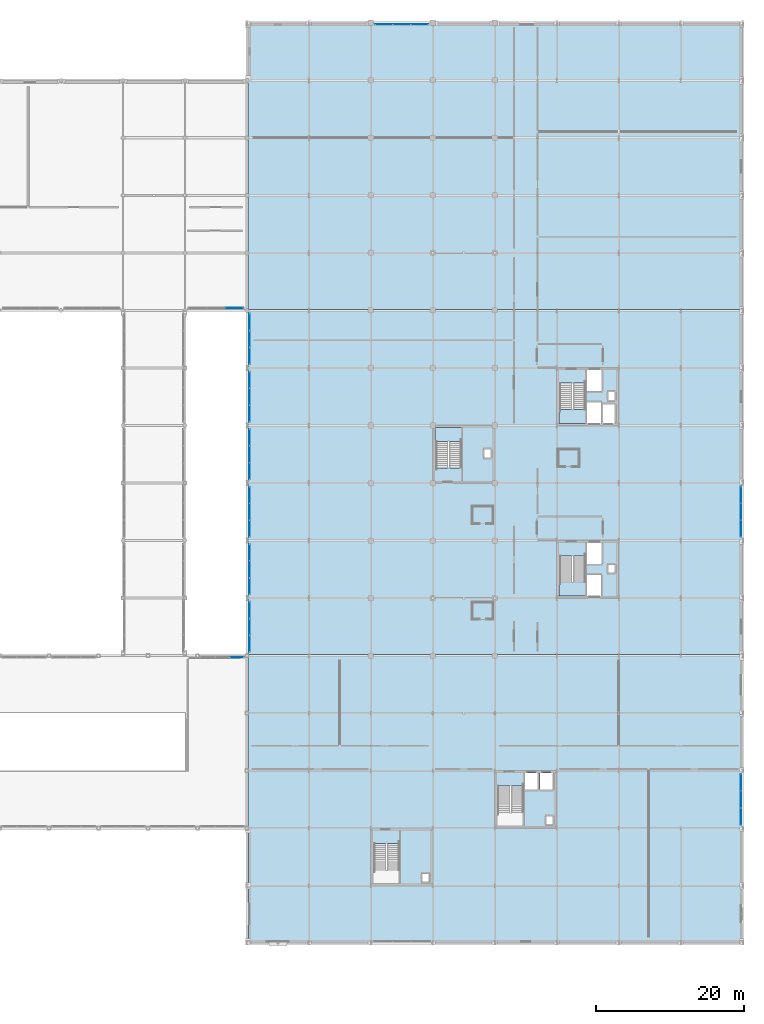
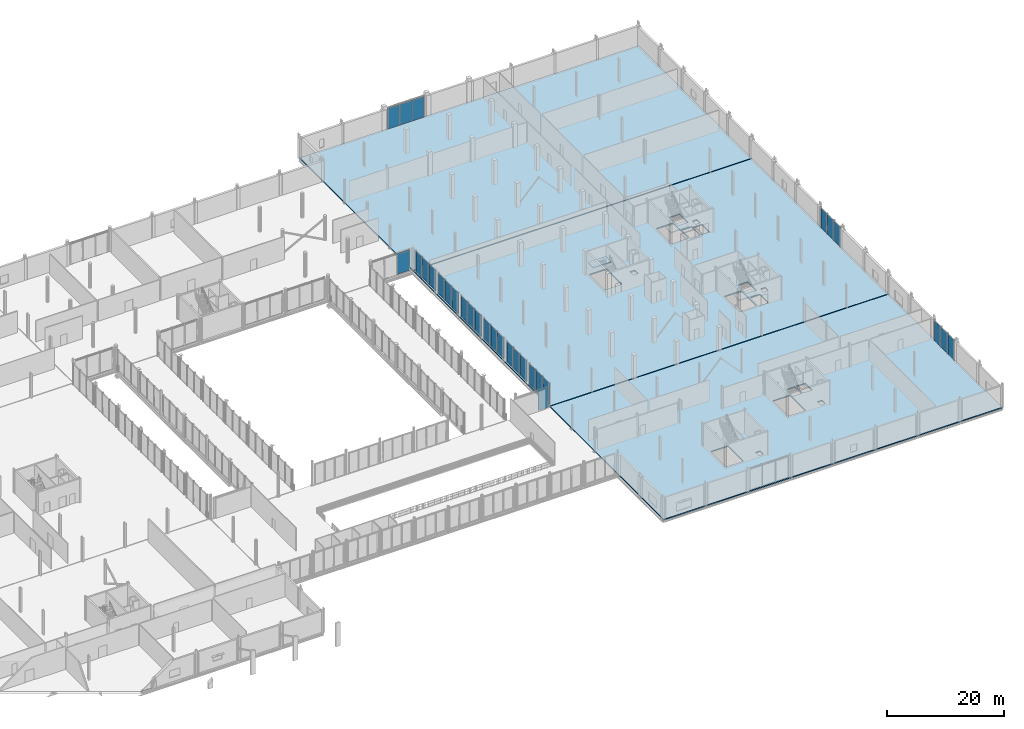
# One storey, part 72 of 105: 29 plates, 6 slabs, 14 elements without a shape of their own.
"""IFC4 building model written with IfcOpenShell, lengths in metres."""

from ifc_helpers import new_model, si_unit, direction, frame, origin, origin_2d, place, context, subcontext, project, spatial, polyline, rectangle, outline, extrude, material, layer, layer_set, type_object, element, aggregate, save


model = new_model("IFC4")

# Units and contexts
model_context = context("Model", 3, precision=1e-05, world=origin(), true_north=direction((0.0, 1.0)))
body_context = subcontext(model_context, "Body", "Model", "MODEL_VIEW")
ifc_project = project(units=[si_unit("LENGTHUNIT", "METRE"), si_unit("AREAUNIT", "SQUARE_METRE"), si_unit("VOLUMEUNIT", "CUBIC_METRE"), si_unit("PLANEANGLEUNIT", "RADIAN"), si_unit("MASSUNIT", "GRAM", prefix="KILO")], contexts=[model_context])

# Site, building, storey
site_placement = place(None, origin())
site = spatial("IfcSite", under=ifc_project, at=site_placement, CompositionType="ELEMENT")
building_placement = place(site_placement, origin())
building = spatial("IfcBuilding", under=site, at=building_placement, Name="Nabrawat Pavilion Hospital", CompositionType="ELEMENT")
storey_placement = place(building_placement, frame((0.0, 0.0, 5.10009765625)))
storey = spatial("IfcBuildingStorey", under=building, at=storey_placement, Name="L01", CompositionType="ELEMENT", Elevation=5.10009765625)

# Slabs
ifc_material_1 = material(Name="Concrete C35/45", Category="concrete")
ifc_layer_1 = layer(ifc_material_1, 0.25, Name="Concrete C35/45")
ifc_layer_set_1 = layer_set([ifc_layer_1], Name="Concrete C35/45")
slab_type_1 = type_object("IfcSlabType", Name="Composite Lower Ward Slab 250", PredefinedType="FLOOR", material=ifc_layer_set_1)
slab_1_placement = place(storey_placement, frame((0.0, 0.0, -0.25)))
element("IfcSlab", 1, at=slab_1_placement, inside=storey, type_object=slab_type_1, Name="L01 Structural Floor Slab P_L01_V6_S", PredefinedType="FLOOR", context=body_context, shape_type="SweptSolid", body=[
    extrude(outline(polyline([(126.1201171875, 39.1201171875), (193.199951171875, 39.1201171875), (193.199951171875, 85.800048828125), (126.1201171875, 85.800048828125), (126.1201171875, 39.1201171875)]), holes=[polyline([(175.8798828125, 73.10009765625), (175.8798828125, 70.5), (174.1201171875, 70.5), (174.1201171875, 73.10009765625), (175.8798828125, 73.10009765625)]), polyline([(174.949951171875, 50.25), (174.949951171875, 51.35009765625), (175.85009765625, 51.35009765625), (175.85009765625, 50.25), (174.949951171875, 50.25)]), polyline([(174.949951171875, 73.64990234375), (174.949951171875, 74.75), (175.85009765625, 74.75), (175.85009765625, 73.64990234375), (174.949951171875, 73.64990234375)]), polyline([(172.10009765625, 51.39990234375), (172.10009765625, 54.300048828125), (174.10009765625, 54.300048828125), (174.10009765625, 51.39990234375), (172.10009765625, 51.39990234375)]), polyline([(172.10009765625, 74.800048828125), (172.10009765625, 77.699951171875), (174.10009765625, 77.699951171875), (174.10009765625, 74.800048828125), (172.10009765625, 74.800048828125)]), polyline([(174.06005859375, 50.0), (174.06005859375, 47.10009765625), (172.10009765625, 47.10009765625), (172.10009765625, 50.0), (174.06005859375, 50.0)]), polyline([(172.10009765625, 70.5), (172.10009765625, 73.39990234375), (174.06005859375, 73.39990234375), (174.06005859375, 70.5), (172.10009765625, 70.5)]), polyline([(171.85009765625, 47.25), (168.449951171875, 47.25), (168.449951171875, 52.530029296875), (171.85009765625, 52.530029296875), (171.85009765625, 47.25)]), polyline([(171.85009765625, 70.64990234375), (168.449951171875, 70.64990234375), (168.449951171875, 75.929931640625), (171.85009765625, 75.929931640625), (171.85009765625, 70.64990234375)]), polyline([(159.050048828125, 66.949951171875), (159.050048828125, 65.85009765625), (158.14990234375, 65.85009765625), (158.14990234375, 66.949951171875), (159.050048828125, 66.949951171875)]), polyline([(155.050048828125, 64.469970703125), (151.64990234375, 64.469970703125), (151.64990234375, 69.75), (155.050048828125, 69.75), (155.050048828125, 64.469970703125)])]), origin(), (0.0, 0.0, 1.0), 0.25),
])
slab_2_placement = place(storey_placement, frame((0.0, 0.0, -0.25)))
element("IfcSlab", 2, at=slab_2_placement, inside=storey, type_object=slab_type_1, Name="L01 Structural Floor Slab P_L01_V6_N", PredefinedType="FLOOR", context=body_context, shape_type="SweptSolid", body=[
    extrude(outline(polyline([(193.199951171875, 85.919921875), (193.199951171875, 124.800048828125), (126.1201171875, 124.800048828125), (126.1201171875, 85.919921875), (193.199951171875, 85.919921875)])), origin(), (0.0, 0.0, 1.0), 0.25),
])
ifc_layer_2 = layer(ifc_material_1, 0.22998046875, Name="Concrete C35/45")
ifc_layer_set_2 = layer_set([ifc_layer_2], Name="Concrete C35/45")
slab_type_2 = type_object("IfcSlabType", Name="Composite Outpatient Floor Slab 230", PredefinedType="FLOOR", material=ifc_layer_set_2)
slab_3_placement = place(storey_placement, frame((0.0, 0.0, -0.22998046875)))
element("IfcSlab", 3, at=slab_3_placement, inside=storey, type_object=slab_type_2, Name="L01 Structural Floor Slab P_L01_V5", PredefinedType="FLOOR", context=body_context, shape_type="SweptSolid", body=[
    extrude(outline(polyline([(126.1201171875, 0.0), (193.199951171875, 0.0), (193.199951171875, 39.0), (126.1201171875, 39.0), (126.1201171875, 0.0)]), holes=[polyline([(167.47998046875, 23.10009765625), (167.47998046875, 20.800048828125), (165.719970703125, 20.800048828125), (165.719970703125, 23.10009765625), (167.47998046875, 23.10009765625)]), polyline([(167.449951171875, 17.25), (167.449951171875, 16.14990234375), (166.550048828125, 16.14990234375), (166.550048828125, 17.25), (167.449951171875, 17.25)]), polyline([(165.4599609375, 23.10009765625), (165.4599609375, 20.800048828125), (163.699951171875, 20.800048828125), (163.699951171875, 23.10009765625), (165.4599609375, 23.10009765625)]), polyline([(160.050048828125, 21.330078125), (163.449951171875, 21.330078125), (163.449951171875, 16.050048828125), (160.050048828125, 16.050048828125), (160.050048828125, 21.330078125)]), polyline([(149.75, 8.35009765625), (149.75, 9.449951171875), (150.64990234375, 9.449951171875), (150.64990234375, 8.35009765625), (149.75, 8.35009765625)]), polyline([(146.64990234375, 8.25), (143.25, 8.25), (143.25, 13.530029296875), (146.64990234375, 13.530029296875), (146.64990234375, 8.25)])]), origin(), (0.0, 0.0, 1.0), 0.22998046875),
])

# Curtain wall, plate
ifc_material_2 = material(Name="Anodised Aluminium", Category="aluminium")
curtain_wall_type_1 = type_object("IfcCurtainWallType", Name="Healing Garden Cloister Curtain Wall", PredefinedType="USERDEFINED", material=ifc_material_2)
curtain_wall_1_placement = place(storey_placement, origin())
curtain_wall_1 = element("IfcCurtainWall", 4, at=curtain_wall_1_placement, inside=storey, type_object=curtain_wall_type_1, Name="L01 Healing Garden Cloister Curtain Wall 084", ObjectType="CURTAIN WALL", PredefinedType="USERDEFINED")
ifc_material_3 = material(Name="Double-Glazed Low-E Glass", Category="glass")
ifc_layer_3 = layer(ifc_material_3, 0.028076171875, Name="Double-Glazed Low-E Glass")
ifc_layer_set_3 = layer_set([ifc_layer_3], Name="Double-Glazed Low-E Glass")
plate_type_1 = type_object("IfcPlateType", Name="Healing Garden Cloister Curtain Wall Low-E Solar Panel 28", PredefinedType="CURTAIN_PANEL", material=ifc_layer_set_3)
plate_1_placement = place(storey_placement, frame((124.30712890625, 86.139892578125, 0.06494140625), z_axis=(0.0, 0.0, 1.0), x_axis=(1.0, 0.0, 0.0)))
plate_1 = element("IfcPlate", 5, at=plate_1_placement, type_object=plate_type_1, Name="CW-CLN-01 panel 3.1", PredefinedType="CURTAIN_PANEL", context=body_context, shape_type="SweptSolid", body=[
    extrude(rectangle(XDim=2.42578125, YDim=0.028076171875, at=origin_2d()), origin(), (0.0, 0.0, 1.0), 4.31005859375),
])
aggregate(curtain_wall_1, [plate_1])

# Curtain wall, plates
curtain_wall_2_placement = place(storey_placement, origin())
curtain_wall_2 = element("IfcCurtainWall", 6, at=curtain_wall_2_placement, inside=storey, type_object=curtain_wall_type_1, Name="L01 Healing Garden Cloister Curtain Wall 086", ObjectType="CURTAIN WALL", PredefinedType="USERDEFINED")
plate_2_placement = place(storey_placement, frame((126.340087890625, 40.609619140625, 0.06494140625), z_axis=(0.0, 0.0, 1.0), x_axis=(0.0, 1.0, 0.0)))
plate_2 = element("IfcPlate", 7, at=plate_2_placement, type_object=plate_type_1, Name="CW-CLN-01 panel 1.1", PredefinedType="CURTAIN_PANEL", context=body_context, shape_type="SweptSolid", body=[
    extrude(rectangle(XDim=2.209228515625, YDim=0.028076171875, at=origin_2d()), origin(), (0.0, 0.0, 1.0), 4.31005859375),
])
plate_3_placement = place(storey_placement, frame((126.340087890625, 42.89990234375, 0.06494140625), z_axis=(0.0, 0.0, 1.0), x_axis=(0.0, 1.0, 0.0)))
plate_3 = element("IfcPlate", 8, at=plate_3_placement, type_object=plate_type_1, Name="CW-CLN-01 panel 2.1", PredefinedType="CURTAIN_PANEL", context=body_context, shape_type="SweptSolid", body=[
    extrude(rectangle(XDim=2.24169921875, YDim=0.028076171875, at=origin_2d()), origin(), (0.0, 0.0, 1.0), 4.31005859375),
])
plate_4_placement = place(storey_placement, frame((126.340087890625, 45.1904296875, 0.06494140625), z_axis=(0.0, 0.0, 1.0), x_axis=(0.0, 1.0, 0.0)))
plate_4 = element("IfcPlate", 9, at=plate_4_placement, type_object=plate_type_1, Name="CW-CLN-01 panel 3.1", PredefinedType="CURTAIN_PANEL", context=body_context, shape_type="SweptSolid", body=[
    extrude(rectangle(XDim=2.209228515625, YDim=0.028076171875, at=origin_2d()), origin(), (0.0, 0.0, 1.0), 4.31005859375),
])
aggregate(curtain_wall_2, [plate_2, plate_3, plate_4])

curtain_wall_3_placement = place(storey_placement, origin())
curtain_wall_3 = element("IfcCurtainWall", 10, at=curtain_wall_3_placement, inside=storey, type_object=curtain_wall_type_1, Name="L01 Healing Garden Cloister Curtain Wall 087", ObjectType="CURTAIN WALL", PredefinedType="USERDEFINED")
plate_5_placement = place(storey_placement, frame((126.340087890625, 48.40966796875, 0.06494140625), z_axis=(0.0, 0.0, 1.0), x_axis=(0.0, 1.0, 0.0)))
plate_5 = element("IfcPlate", 11, at=plate_5_placement, type_object=plate_type_1, Name="CW-CLN-01 panel 1.1", PredefinedType="CURTAIN_PANEL", context=body_context, shape_type="SweptSolid", body=[
    extrude(rectangle(XDim=2.209228515625, YDim=0.028076171875, at=origin_2d()), origin(), (0.0, 0.0, 1.0), 4.31005859375),
])
plate_6_placement = place(storey_placement, frame((126.340087890625, 50.699951171875, 0.06494140625), z_axis=(0.0, 0.0, 1.0), x_axis=(0.0, 1.0, 0.0)))
plate_6 = element("IfcPlate", 12, at=plate_6_placement, type_object=plate_type_1, Name="CW-CLN-01 panel 2.1", PredefinedType="CURTAIN_PANEL", context=body_context, shape_type="SweptSolid", body=[
    extrude(rectangle(XDim=2.24169921875, YDim=0.028076171875, at=origin_2d()), origin(), (0.0, 0.0, 1.0), 4.31005859375),
])
plate_7_placement = place(storey_placement, frame((126.340087890625, 52.990478515625, 0.06494140625), z_axis=(0.0, 0.0, 1.0), x_axis=(0.0, 1.0, 0.0)))
plate_7 = element("IfcPlate", 13, at=plate_7_placement, type_object=plate_type_1, Name="CW-CLN-01 panel 3.1", PredefinedType="CURTAIN_PANEL", context=body_context, shape_type="SweptSolid", body=[
    extrude(rectangle(XDim=2.209228515625, YDim=0.028076171875, at=origin_2d()), origin(), (0.0, 0.0, 1.0), 4.31005859375),
])
aggregate(curtain_wall_3, [plate_5, plate_6, plate_7])

curtain_wall_4_placement = place(storey_placement, origin())
curtain_wall_4 = element("IfcCurtainWall", 14, at=curtain_wall_4_placement, inside=storey, type_object=curtain_wall_type_1, Name="L01 Healing Garden Cloister Curtain Wall 088", ObjectType="CURTAIN WALL", PredefinedType="USERDEFINED")
plate_8_placement = place(storey_placement, frame((126.340087890625, 56.20947265625, 0.06494140625), z_axis=(0.0, 0.0, 1.0), x_axis=(0.0, 1.0, 0.0)))
plate_8 = element("IfcPlate", 15, at=plate_8_placement, type_object=plate_type_1, Name="CW-CLN-01 panel 1.1", PredefinedType="CURTAIN_PANEL", context=body_context, shape_type="SweptSolid", body=[
    extrude(rectangle(XDim=2.209228515625, YDim=0.028076171875, at=origin_2d()), origin(), (0.0, 0.0, 1.0), 4.31005859375),
])
plate_9_placement = place(storey_placement, frame((126.340087890625, 58.5, 0.06494140625), z_axis=(0.0, 0.0, 1.0), x_axis=(0.0, 1.0, 0.0)))
plate_9 = element("IfcPlate", 16, at=plate_9_placement, type_object=plate_type_1, Name="CW-CLN-01 panel 2.1", PredefinedType="CURTAIN_PANEL", context=body_context, shape_type="SweptSolid", body=[
    extrude(rectangle(XDim=2.24169921875, YDim=0.028076171875, at=origin_2d()), origin(), (0.0, 0.0, 1.0), 4.31005859375),
])
plate_10_placement = place(storey_placement, frame((126.340087890625, 60.79052734375, 0.06494140625), z_axis=(0.0, 0.0, 1.0), x_axis=(0.0, 1.0, 0.0)))
plate_10 = element("IfcPlate", 17, at=plate_10_placement, type_object=plate_type_1, Name="CW-CLN-01 panel 3.1", PredefinedType="CURTAIN_PANEL", context=body_context, shape_type="SweptSolid", body=[
    extrude(rectangle(XDim=2.209228515625, YDim=0.028076171875, at=origin_2d()), origin(), (0.0, 0.0, 1.0), 4.31005859375),
])
aggregate(curtain_wall_4, [plate_8, plate_9, plate_10])

curtain_wall_5_placement = place(storey_placement, origin())
curtain_wall_5 = element("IfcCurtainWall", 18, at=curtain_wall_5_placement, inside=storey, type_object=curtain_wall_type_1, Name="L01 Healing Garden Cloister Curtain Wall 089", ObjectType="CURTAIN WALL", PredefinedType="USERDEFINED")
plate_11_placement = place(storey_placement, frame((126.340087890625, 64.009521484375, 0.06494140625), z_axis=(0.0, 0.0, 1.0), x_axis=(0.0, 1.0, 0.0)))
plate_11 = element("IfcPlate", 19, at=plate_11_placement, type_object=plate_type_1, Name="CW-CLN-01 panel 1.1", PredefinedType="CURTAIN_PANEL", context=body_context, shape_type="SweptSolid", body=[
    extrude(rectangle(XDim=2.209228515625, YDim=0.028076171875, at=origin_2d()), origin(), (0.0, 0.0, 1.0), 4.31005859375),
])
plate_12_placement = place(storey_placement, frame((126.340087890625, 66.300048828125, 0.06494140625), z_axis=(0.0, 0.0, 1.0), x_axis=(0.0, 1.0, 0.0)))
plate_12 = element("IfcPlate", 20, at=plate_12_placement, type_object=plate_type_1, Name="CW-CLN-01 panel 2.1", PredefinedType="CURTAIN_PANEL", context=body_context, shape_type="SweptSolid", body=[
    extrude(rectangle(XDim=2.24169921875, YDim=0.028076171875, at=origin_2d()), origin(), (0.0, 0.0, 1.0), 4.31005859375),
])
plate_13_placement = place(storey_placement, frame((126.340087890625, 68.59033203125, 0.06494140625), z_axis=(0.0, 0.0, 1.0), x_axis=(0.0, 1.0, 0.0)))
plate_13 = element("IfcPlate", 21, at=plate_13_placement, type_object=plate_type_1, Name="CW-CLN-01 panel 3.1", PredefinedType="CURTAIN_PANEL", context=body_context, shape_type="SweptSolid", body=[
    extrude(rectangle(XDim=2.209228515625, YDim=0.028076171875, at=origin_2d()), origin(), (0.0, 0.0, 1.0), 4.31005859375),
])
aggregate(curtain_wall_5, [plate_11, plate_12, plate_13])

curtain_wall_6_placement = place(storey_placement, origin())
curtain_wall_6 = element("IfcCurtainWall", 22, at=curtain_wall_6_placement, inside=storey, type_object=curtain_wall_type_1, Name="L01 Healing Garden Cloister Curtain Wall 090", ObjectType="CURTAIN WALL", PredefinedType="USERDEFINED")
plate_14_placement = place(storey_placement, frame((126.340087890625, 71.8095703125, 0.06494140625), z_axis=(0.0, 0.0, 1.0), x_axis=(0.0, 1.0, 0.0)))
plate_14 = element("IfcPlate", 23, at=plate_14_placement, type_object=plate_type_1, Name="CW-CLN-01 panel 1.1", PredefinedType="CURTAIN_PANEL", context=body_context, shape_type="SweptSolid", body=[
    extrude(rectangle(XDim=2.209228515625, YDim=0.028076171875, at=origin_2d()), origin(), (0.0, 0.0, 1.0), 4.31005859375),
])
plate_15_placement = place(storey_placement, frame((126.340087890625, 74.10009765625, 0.06494140625), z_axis=(0.0, 0.0, 1.0), x_axis=(0.0, 1.0, 0.0)))
plate_15 = element("IfcPlate", 24, at=plate_15_placement, type_object=plate_type_1, Name="CW-CLN-01 panel 2.1", PredefinedType="CURTAIN_PANEL", context=body_context, shape_type="SweptSolid", body=[
    extrude(rectangle(XDim=2.24169921875, YDim=0.028076171875, at=origin_2d()), origin(), (0.0, 0.0, 1.0), 4.31005859375),
])
plate_16_placement = place(storey_placement, frame((126.340087890625, 76.390380859375, 0.06494140625), z_axis=(0.0, 0.0, 1.0), x_axis=(0.0, 1.0, 0.0)))
plate_16 = element("IfcPlate", 25, at=plate_16_placement, type_object=plate_type_1, Name="CW-CLN-01 panel 3.1", PredefinedType="CURTAIN_PANEL", context=body_context, shape_type="SweptSolid", body=[
    extrude(rectangle(XDim=2.209228515625, YDim=0.028076171875, at=origin_2d()), origin(), (0.0, 0.0, 1.0), 4.31005859375),
])
aggregate(curtain_wall_6, [plate_14, plate_15, plate_16])

curtain_wall_7_placement = place(storey_placement, origin())
curtain_wall_7 = element("IfcCurtainWall", 26, at=curtain_wall_7_placement, inside=storey, type_object=curtain_wall_type_1, Name="L01 Healing Garden Cloister Curtain Wall 091", ObjectType="CURTAIN WALL", PredefinedType="USERDEFINED")
plate_17_placement = place(storey_placement, frame((126.340087890625, 79.61376953125, 0.06494140625), z_axis=(0.0, 0.0, 1.0), x_axis=(0.0, 1.0, 0.0)))
plate_17 = element("IfcPlate", 27, at=plate_17_placement, type_object=plate_type_1, Name="CW-CLN-01 panel 1.1", PredefinedType="CURTAIN_PANEL", context=body_context, shape_type="SweptSolid", body=[
    extrude(rectangle(XDim=2.217529296875, YDim=0.028076171875, at=origin_2d()), origin(), (0.0, 0.0, 1.0), 4.31005859375),
])
plate_18_placement = place(storey_placement, frame((126.340087890625, 81.91259765625, 0.06494140625), z_axis=(0.0, 0.0, 1.0), x_axis=(0.0, 1.0, 0.0)))
plate_18 = element("IfcPlate", 28, at=plate_18_placement, type_object=plate_type_1, Name="CW-CLN-01 panel 2.1", PredefinedType="CURTAIN_PANEL", context=body_context, shape_type="SweptSolid", body=[
    extrude(rectangle(XDim=2.25, YDim=0.028076171875, at=origin_2d()), origin(), (0.0, 0.0, 1.0), 4.31005859375),
])
plate_19_placement = place(storey_placement, frame((126.340087890625, 84.211181640625, 0.06494140625), z_axis=(0.0, 0.0, 1.0), x_axis=(0.0, 1.0, 0.0)))
plate_19 = element("IfcPlate", 29, at=plate_19_placement, type_object=plate_type_1, Name="CW-CLN-01 panel 3.1", PredefinedType="CURTAIN_PANEL", context=body_context, shape_type="SweptSolid", body=[
    extrude(rectangle(XDim=2.217529296875, YDim=0.028076171875, at=origin_2d()), origin(), (0.0, 0.0, 1.0), 4.31005859375),
])
aggregate(curtain_wall_7, [plate_17, plate_18, plate_19])

curtain_wall_type_2 = type_object("IfcCurtainWallType", Name="Inpatient Dayroom Bay Curtain Wall", PredefinedType="USERDEFINED", material=ifc_material_2)
curtain_wall_8_placement = place(storey_placement, origin())
curtain_wall_8 = element("IfcCurtainWall", 30, at=curtain_wall_8_placement, inside=storey, type_object=curtain_wall_type_2, Name="L01 Inpatient Dayroom Bay Curtain Wall 092", ObjectType="CURTAIN WALL", PredefinedType="USERDEFINED")
ifc_layer_4 = layer(ifc_material_3, 0.02587890625, Name="Double-Glazed Low-E Glass")
ifc_layer_set_4 = layer_set([ifc_layer_4], Name="Double-Glazed Low-E Glass")
plate_type_2 = type_object("IfcPlateType", Name="Inpatient Dayroom Bay Curtain Wall Low-E Solar Panel 26", PredefinedType="CURTAIN_PANEL", material=ifc_layer_set_4)
plate_20_placement = place(storey_placement, frame((144.578369140625, 124.580078125, 0.059814453125), z_axis=(0.0, 0.0, 1.0), x_axis=(1.0, 0.0, 0.0)))
plate_20 = element("IfcPlate", 31, at=plate_20_placement, type_object=plate_type_2, Name="CW-WRD-01 panel 1.1", PredefinedType="CURTAIN_PANEL", context=body_context, shape_type="SweptSolid", body=[
    extrude(rectangle(XDim=2.3466796875, YDim=0.02587890625, at=origin_2d()), origin(), (0.0, 0.0, 1.0), 4.3701171875),
])
plate_21_placement = place(storey_placement, frame((147.0, 124.580078125, 0.059814453125), z_axis=(0.0, 0.0, 1.0), x_axis=(1.0, 0.0, 0.0)))
plate_21 = element("IfcPlate", 32, at=plate_21_placement, type_object=plate_type_2, Name="CW-WRD-01 panel 2.1", PredefinedType="CURTAIN_PANEL", context=body_context, shape_type="SweptSolid", body=[
    extrude(rectangle(XDim=2.376708984375, YDim=0.02587890625, at=origin_2d()), origin(), (0.0, 0.0, 1.0), 4.3701171875),
])
plate_22_placement = place(storey_placement, frame((149.421630859375, 124.580078125, 0.059814453125), z_axis=(0.0, 0.0, 1.0), x_axis=(1.0, 0.0, 0.0)))
plate_22 = element("IfcPlate", 33, at=plate_22_placement, type_object=plate_type_2, Name="CW-WRD-01 panel 3.1", PredefinedType="CURTAIN_PANEL", context=body_context, shape_type="SweptSolid", body=[
    extrude(rectangle(XDim=2.3466796875, YDim=0.02587890625, at=origin_2d()), origin(), (0.0, 0.0, 1.0), 4.3701171875),
])
aggregate(curtain_wall_8, [plate_20, plate_21, plate_22])

curtain_wall_9_placement = place(storey_placement, origin())
curtain_wall_9 = element("IfcCurtainWall", 34, at=curtain_wall_9_placement, inside=storey, type_object=curtain_wall_type_2, Name="L01 Inpatient Dayroom Bay Curtain Wall 094", ObjectType="CURTAIN WALL", PredefinedType="USERDEFINED")
plate_23_placement = place(storey_placement, frame((192.97998046875, 56.228271484375, 0.059814453125), z_axis=(0.0, 0.0, 1.0), x_axis=(0.0, 1.0, 0.0)))
plate_23 = element("IfcPlate", 35, at=plate_23_placement, type_object=plate_type_2, Name="CW-WRD-01 panel 1.1", PredefinedType="CURTAIN_PANEL", context=body_context, shape_type="SweptSolid", body=[
    extrude(rectangle(XDim=2.19677734375, YDim=0.02587890625, at=origin_2d()), origin(), (0.0, 0.0, 1.0), 4.2099609375),
])
plate_24_placement = place(storey_placement, frame((192.97998046875, 58.5, 0.059814453125), z_axis=(0.0, 0.0, 1.0), x_axis=(0.0, 1.0, 0.0)))
plate_24 = element("IfcPlate", 36, at=plate_24_placement, type_object=plate_type_2, Name="CW-WRD-01 panel 2.1", PredefinedType="CURTAIN_PANEL", context=body_context, shape_type="SweptSolid", body=[
    extrude(rectangle(XDim=2.2265625, YDim=0.02587890625, at=origin_2d()), origin(), (0.0, 0.0, 1.0), 4.2099609375),
])
plate_25_placement = place(storey_placement, frame((192.97998046875, 60.771728515625, 0.059814453125), z_axis=(0.0, 0.0, 1.0), x_axis=(0.0, 1.0, 0.0)))
plate_25 = element("IfcPlate", 37, at=plate_25_placement, type_object=plate_type_2, Name="CW-WRD-01 panel 3.1", PredefinedType="CURTAIN_PANEL", context=body_context, shape_type="SweptSolid", body=[
    extrude(rectangle(XDim=2.19677734375, YDim=0.02587890625, at=origin_2d()), origin(), (0.0, 0.0, 1.0), 4.2099609375),
])
aggregate(curtain_wall_9, [plate_23, plate_24, plate_25])

# Curtain wall, plate
curtain_wall_type_3 = type_object("IfcCurtainWallType", Name="Main Hall Pavilion Unitised Curtain Wall", PredefinedType="USERDEFINED", material=ifc_material_2)
curtain_wall_10_placement = place(storey_placement, origin())
curtain_wall_10 = element("IfcCurtainWall", 38, at=curtain_wall_10_placement, inside=storey, type_object=curtain_wall_type_3, Name="L01 Main Hall Pavilion Unitised Curtain Wall 083", ObjectType="CURTAIN WALL", PredefinedType="USERDEFINED")
ifc_layer_5 = layer(ifc_material_3, 0.035888671875, Name="Double-Glazed Low-E Glass")
ifc_layer_set_5 = layer_set([ifc_layer_5], Name="Double-Glazed Low-E Glass")
plate_type_3 = type_object("IfcPlateType", Name="Main Hall Pavilion Unitised Curtain Wall Low-E Solar Panel 36", PredefinedType="CURTAIN_PANEL", material=ifc_layer_set_5)
plate_26_placement = place(storey_placement, frame((124.61767578125, 38.780029296875, 0.074951171875), z_axis=(0.0, 0.0, 1.0), x_axis=(1.0, 0.0, 0.0)))
plate_26 = element("IfcPlate", 39, at=plate_26_placement, type_object=plate_type_3, Name="CW-MH-01 panel 3.1", PredefinedType="CURTAIN_PANEL", context=body_context, shape_type="SweptSolid", body=[
    extrude(rectangle(XDim=1.8779296875, YDim=0.035888671875, at=origin_2d()), origin(), (0.0, 0.0, 1.0), 4.2900390625),
])
aggregate(curtain_wall_10, [plate_26])

# Curtain wall, plates
curtain_wall_type_4 = type_object("IfcCurtainWallType", Name="Outpatient Boulevard Curtain Wall", PredefinedType="USERDEFINED", material=ifc_material_2)
curtain_wall_11_placement = place(storey_placement, origin())
curtain_wall_11 = element("IfcCurtainWall", 40, at=curtain_wall_11_placement, inside=storey, type_object=curtain_wall_type_4, Name="L01 Outpatient Boulevard Curtain Wall 093", ObjectType="CURTAIN WALL", PredefinedType="USERDEFINED")
ifc_layer_6 = layer(ifc_material_3, 0.02392578125, Name="Double-Glazed Low-E Glass")
ifc_layer_set_6 = layer_set([ifc_layer_6], Name="Double-Glazed Low-E Glass")
plate_type_4 = type_object("IfcPlateType", Name="Outpatient Boulevard Curtain Wall Low-E Solar Panel 24", PredefinedType="CURTAIN_PANEL", material=ifc_layer_set_6)
plate_27_placement = place(storey_placement, frame((192.97998046875, 17.17822265625, 0.059814453125), z_axis=(0.0, 0.0, 1.0), x_axis=(0.0, 1.0, 0.0)))
plate_27 = element("IfcPlate", 41, at=plate_27_placement, type_object=plate_type_4, Name="CW-OPC-01 panel 1.1", PredefinedType="CURTAIN_PANEL", context=body_context, shape_type="SweptSolid", body=[
    extrude(rectangle(XDim=2.24658203125, YDim=0.02392578125, at=origin_2d()), origin(), (0.0, 0.0, 1.0), 4.22998046875),
])
plate_28_placement = place(storey_placement, frame((192.97998046875, 19.5, 0.059814453125), z_axis=(0.0, 0.0, 1.0), x_axis=(0.0, 1.0, 0.0)))
plate_28 = element("IfcPlate", 42, at=plate_28_placement, type_object=plate_type_4, Name="CW-OPC-01 panel 2.1", PredefinedType="CURTAIN_PANEL", context=body_context, shape_type="SweptSolid", body=[
    extrude(rectangle(XDim=2.276611328125, YDim=0.02392578125, at=origin_2d()), origin(), (0.0, 0.0, 1.0), 4.22998046875),
])
plate_29_placement = place(storey_placement, frame((192.97998046875, 21.82177734375, 0.059814453125), z_axis=(0.0, 0.0, 1.0), x_axis=(0.0, 1.0, 0.0)))
plate_29 = element("IfcPlate", 43, at=plate_29_placement, type_object=plate_type_4, Name="CW-OPC-01 panel 3.1", PredefinedType="CURTAIN_PANEL", context=body_context, shape_type="SweptSolid", body=[
    extrude(rectangle(XDim=2.24658203125, YDim=0.02392578125, at=origin_2d()), origin(), (0.0, 0.0, 1.0), 4.22998046875),
])
aggregate(curtain_wall_11, [plate_27, plate_28, plate_29])

# Stair, slab
stair_type = type_object("IfcStairType", Name="Ward Upper Dogleg Escape Stair Assembly", PredefinedType="HALF_TURN_STAIR", material=ifc_material_1)
stair_1_placement = place(storey_placement, origin())
stair_1 = element("IfcStair", 44, at=stair_1_placement, inside=storey, type_object=stair_type, Name="L01 Inpatient South Firefighting Core 5", PredefinedType="HALF_TURN_STAIR")
ifc_layer_7 = layer(ifc_material_1, 0.199951171875, Name="Concrete C35/45")
ifc_layer_set_7 = layer_set([ifc_layer_7], Name="Concrete C35/45")
slab_type_3 = type_object("IfcSlabType", Name="Reinforced Concrete Stair Half-Landing 200", PredefinedType="LANDING", material=ifc_layer_set_7)
slab_4_placement = place(storey_placement, frame((0.0, 0.0, 2.349853515625)))
slab_4 = element("IfcSlab", 45, at=slab_4_placement, type_object=slab_type_3, Name="ST-05 landing 1", PredefinedType="LANDING", context=body_context, shape_type="SweptSolid", body=[
    extrude(outline(polyline([(171.8701171875, 47.080078125), (171.8701171875, 48.955078125), (168.280029296875, 48.955078125), (168.280029296875, 47.080078125), (171.8701171875, 47.080078125)])), origin(), (0.0, 0.0, 1.0), 0.199951171875),
])
aggregate(stair_1, [slab_4])

stair_2_placement = place(storey_placement, origin())
stair_2 = element("IfcStair", 46, at=stair_2_placement, inside=storey, type_object=stair_type, Name="L01 Inpatient North Firefighting Core 6", PredefinedType="HALF_TURN_STAIR")
slab_5_placement = place(storey_placement, frame((0.0, 0.0, 2.349853515625)))
slab_5 = element("IfcSlab", 47, at=slab_5_placement, type_object=slab_type_3, Name="ST-06 landing 1", PredefinedType="LANDING", context=body_context, shape_type="SweptSolid", body=[
    extrude(outline(polyline([(171.8701171875, 70.47998046875), (171.8701171875, 72.35498046875), (168.280029296875, 72.35498046875), (168.280029296875, 70.47998046875), (171.8701171875, 70.47998046875)])), origin(), (0.0, 0.0, 1.0), 0.199951171875),
])
aggregate(stair_2, [slab_5])

stair_3_placement = place(storey_placement, origin())
stair_3 = element("IfcStair", 48, at=stair_3_placement, inside=storey, type_object=stair_type, Name="L01 Inpatient West Escape Stair Core 9", PredefinedType="HALF_TURN_STAIR")
slab_6_placement = place(storey_placement, frame((0.0, 0.0, 2.349853515625)))
slab_6 = element("IfcSlab", 49, at=slab_6_placement, type_object=slab_type_3, Name="ST-09 landing 1", PredefinedType="LANDING", context=body_context, shape_type="SweptSolid", body=[
    extrude(outline(polyline([(155.070068359375, 68.044921875), (155.070068359375, 69.919921875), (151.47998046875, 69.919921875), (151.47998046875, 68.044921875), (155.070068359375, 68.044921875)])), origin(), (0.0, 0.0, 1.0), 0.199951171875),
])
aggregate(stair_3, [slab_6])

save(model, "model.ifc")
